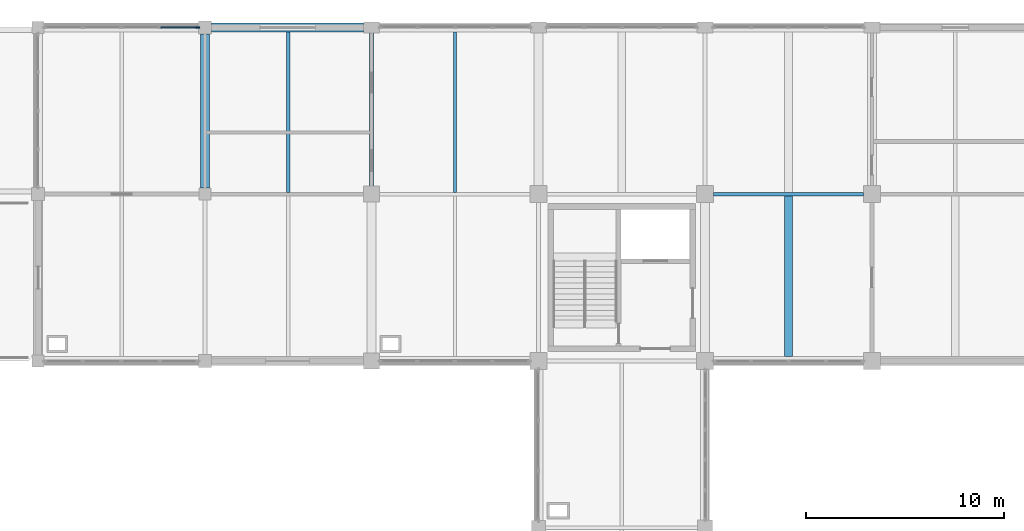
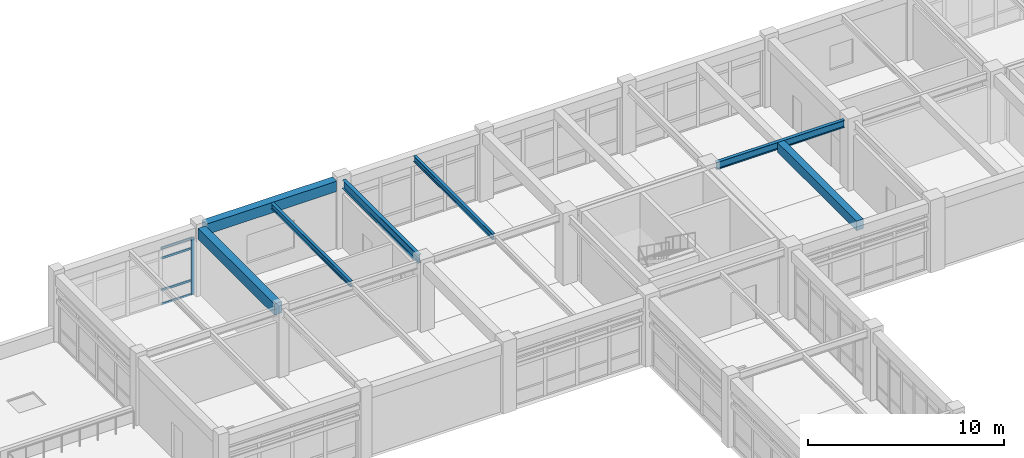
# One storey, part 17 of 78: 7 beams, 5 members, 1 element without a shape of its own.
"""IFC4 building model written with IfcOpenShell, lengths in metres."""

import ifcopenshell
import ifcopenshell.guid

model = None  # the IFC model being written
_history = None  # IfcOwnerHistory: only IFC2X3 demands one
_inside = {}  # id of a spatial element -> (the spatial element, [elements in it])
_under = {}  # id of a project, library or spatial element -> (it, [spatial elements below it])
_declared = {}  # id of a project -> (the project, [libraries it declares])
_typed = {}  # id of a type object -> (the type object, [elements of that type])
_made_of = {}  # id of a material, layer set ... -> (it, [elements and type objects made of it])


def new_model(schema):
    """Start an empty IFC model of exactly this schema.

    Asked for "IFC4X3", IfcOpenShell would pick the latest addendum, in which some entities
    have other attributes; the version numbers below select the first issue.
    IFC2X3 requires an IfcOwnerHistory on every rooted entity: one is made here for all.
    """
    global model, _history
    if schema == "IFC4X3":
        model = ifcopenshell.file(schema_version=(4, 3, 0, 0))
    else:
        model = ifcopenshell.file(schema=schema)
    _inside.clear()
    _under.clear()
    _declared.clear()
    _typed.clear()
    _made_of.clear()
    _history = None
    if model.schema == "IFC2X3":
        org = make("IfcOrganization", Name="unknown")
        user = make(
            "IfcPersonAndOrganization",
            ThePerson=make("IfcPerson", FamilyName="unknown"),
            TheOrganization=org,
        )
        app = make(
            "IfcApplication",
            ApplicationDeveloper=org,
            Version="unknown",
            ApplicationFullName="unknown",
            ApplicationIdentifier="unknown",
        )
        _history = make(
            "IfcOwnerHistory",
            OwningUser=user,
            OwningApplication=app,
            ChangeAction="ADDED",
            CreationDate=0,
        )
    return model


def make(cls, **values):
    """One entity of the class cls with the attributes given. An attribute that is None is left unset."""
    return model.create_entity(
        cls, **{name: value for name, value in values.items() if value is not None}
    )


def rooted(cls, **values):
    """An entity with a GlobalId (a new one), such as an element, a storey or a relation."""
    return make(cls, GlobalId=ifcopenshell.guid.new(), OwnerHistory=_history, **values)


def si_unit(unit_type, name, prefix=None):
    """IfcSIUnit, for example si_unit("LENGTHUNIT", "METRE", prefix="MILLI")."""
    return make("IfcSIUnit", UnitType=unit_type, Prefix=prefix, Name=name)


def assignment(units):
    """IfcUnitAssignment: the units of a project."""
    return None if units is None else make("IfcUnitAssignment", Units=units)


def point(xyz):
    """IfcCartesianPoint."""
    return None if xyz is None else make("IfcCartesianPoint", Coordinates=xyz)


def direction(xyz):
    """IfcDirection."""
    return None if xyz is None else make("IfcDirection", DirectionRatios=xyz)


def frame(location, z_axis=None, x_axis=None):
    """IfcAxis2Placement3D, a coordinate frame: its origin and axes. An axis left out is left unset."""
    return make(
        "IfcAxis2Placement3D",
        Location=point(location),
        Axis=direction(z_axis),
        RefDirection=direction(x_axis),
    )


def frame_2d(location, x_axis=None):
    """IfcAxis2Placement2D, a coordinate frame in the plane: its origin and x axis."""
    return make(
        "IfcAxis2Placement2D", Location=point(location), RefDirection=direction(x_axis)
    )


def origin():
    """The frame at (0, 0, 0) with its axes left unset."""
    return frame((0.0, 0.0, 0.0))


def origin_2d():
    """The frame at (0, 0) in the plane with its x axis left unset."""
    return frame_2d((0.0, 0.0))


def place(relative_to, where):
    """IfcLocalPlacement: puts the frame where relative to a parent placement (None: the world)."""
    return make(
        "IfcLocalPlacement", PlacementRelTo=relative_to, RelativePlacement=where
    )


def context(
    kind, dimensions, precision=None, world=None, true_north=None, identifier=None
):
    """IfcGeometricRepresentationContext, for example the 3D "Model" context."""
    return make(
        "IfcGeometricRepresentationContext",
        ContextIdentifier=identifier,
        ContextType=kind,
        CoordinateSpaceDimension=dimensions,
        Precision=precision,
        WorldCoordinateSystem=world,
        TrueNorth=true_north,
    )


def subcontext(parent, identifier, kind, view, scale=None):
    """IfcGeometricRepresentationSubContext, for example "Body" below "Model"."""
    return make(
        "IfcGeometricRepresentationSubContext",
        ContextIdentifier=identifier,
        ContextType=kind,
        ParentContext=parent,
        TargetScale=scale,
        TargetView=view,
    )


def project(units=None, contexts=None):
    """IfcProject with its units and contexts."""
    return rooted(
        "IfcProject",
        Name="project",
        RepresentationContexts=contexts,
        UnitsInContext=assignment(units),
    )


def spatial(cls, under=None, at=None, **own):
    """A site, building, storey or space (cls), placed at a placement, below another one or the project."""
    s = rooted(cls, ObjectPlacement=at, **own)
    if under is not None:
        _under.setdefault(under.id(), (under, []))[1].append(s)
    return s


def profile(cls, at=None, kind="AREA", **sizes):
    """A parametric profile (cls). Its sizes go by their IFC names, for example OverallWidth=200.0."""
    return make(cls, ProfileType=kind, Position=at, **sizes)


def rectangle(**sizes):
    """IfcRectangleProfileDef."""
    return profile("IfcRectangleProfileDef", **sizes)


def i_section(**sizes):
    """IfcIShapeProfileDef."""
    return profile("IfcIShapeProfileDef", **sizes)


def extrude(swept, where, along, depth):
    """IfcExtrudedAreaSolid: the profile swept, set in the frame where, extruded along a direction by depth."""
    return make(
        "IfcExtrudedAreaSolid",
        SweptArea=swept,
        Position=where,
        ExtrudedDirection=direction(along),
        Depth=depth,
    )


def shape(context_of_items, identifier, shape_type, items):
    """IfcShapeRepresentation: the items that make up one representation, for example the "Body"."""
    return make(
        "IfcShapeRepresentation",
        ContextOfItems=context_of_items,
        RepresentationIdentifier=identifier,
        RepresentationType=shape_type,
        Items=items,
    )


def material(Name=None, Category=None):
    """IfcMaterial."""
    return make("IfcMaterial", Name=Name, Category=Category)


def layer(
    of_material, thickness, ventilated=None, Name=None, Category=None, Priority=None
):
    """IfcMaterialLayer: one layer of a wall or slab, of a material (None: an air gap)."""
    return make(
        "IfcMaterialLayer",
        Material=of_material,
        LayerThickness=thickness,
        IsVentilated=ventilated,
        Name=Name,
        Category=Category,
        Priority=Priority,
    )


def layer_set(layers, Name=None):
    """IfcMaterialLayerSet."""
    return make("IfcMaterialLayerSet", MaterialLayers=layers, LayerSetName=Name)


def material_profile(
    of_material, cross_section, Name=None, Category=None, Priority=None
):
    """IfcMaterialProfile: a cross section and its material."""
    return make(
        "IfcMaterialProfile",
        Name=Name,
        Material=of_material,
        Profile=cross_section,
        Priority=Priority,
        Category=Category,
    )


def profile_set(profiles, Name=None, composite=None):
    """IfcMaterialProfileSet."""
    return make(
        "IfcMaterialProfileSet",
        Name=Name,
        MaterialProfiles=profiles,
        CompositeProfile=composite,
    )


def made_of(thing, what):
    """Note that an element or type object is made of a material, layer set ...; save() writes the relation."""
    if what is not None:
        _made_of.setdefault(what.id(), (what, []))[1].append(thing)
    return thing


def type_object(cls, material=None, **own):
    """A type object (cls), such as IfcWallType, which elements share."""
    return made_of(rooted(cls, **own), material)


def element(
    cls,
    number,
    at=None,
    inside=None,
    cuts=None,
    type_object=None,
    material=None,
    context=None,
    identifier="Body",
    shape_type=None,
    held_by="IfcProductDefinitionShape",
    body=None,
    shapes=None,
    **own,
):
    """One element of the class cls, such as IfcWall. Its Tag is "e" and its number.

    at: its placement. inside: the storey or other place that contains it. cuts: it is an
    opening in that element (IfcRelVoidsElement). A single representation is given by context,
    identifier, shape_type and body (its items); several are given by shapes. held_by: the class
    of the entity that holds the representations. save() writes the other relations.
    """
    e = rooted(cls, Tag="e%d" % number, ObjectPlacement=at, **own)
    if body is not None:
        shapes = [shape(context, identifier, shape_type, body)]
    if shapes is not None:
        e.Representation = make(held_by, Representations=shapes)
    if inside is not None:
        _inside.setdefault(inside.id(), (inside, []))[1].append(e)
    if cuts is not None:
        rooted(
            "IfcRelVoidsElement", RelatingBuildingElement=cuts, RelatedOpeningElement=e
        )
    if type_object is not None:
        _typed.setdefault(type_object.id(), (type_object, []))[1].append(e)
    return made_of(e, material)


def aggregate(whole, parts):
    """IfcRelAggregates: a whole, such as a stair, and the parts it consists of."""
    return rooted("IfcRelAggregates", RelatingObject=whole, RelatedObjects=parts)


def save(model, path):
    """Write the relations noted so far, then the file.

    IfcRelAggregates (storeys below a building ...), IfcRelContainedInSpatialStructure (elements
    in a storey), IfcRelDefinesByType, IfcRelAssociatesMaterial and IfcRelDeclares: one each for
    every whole, place, type object, material and project.
    """
    for whole, parts in _under.values():
        aggregate(whole, parts)
    for where, things in _inside.values():
        rooted(
            "IfcRelContainedInSpatialStructure",
            RelatedElements=things,
            RelatingStructure=where,
        )
    for kind, things in _typed.values():
        rooted("IfcRelDefinesByType", RelatedObjects=things, RelatingType=kind)
    for what, things in _made_of.values():
        rooted("IfcRelAssociatesMaterial", RelatedObjects=things, RelatingMaterial=what)
    for by, libraries in _declared.values():
        rooted("IfcRelDeclares", RelatingContext=by, RelatedDefinitions=libraries)
    model.write(path)


model = new_model("IFC4")

# Units and contexts
model_context = context("Model", 3, precision=1e-05, world=origin(), true_north=direction((0.0, 1.0)))
body_context = subcontext(model_context, "Body", "Model", "MODEL_VIEW")
ifc_project = project(units=[si_unit("LENGTHUNIT", "METRE"), si_unit("AREAUNIT", "SQUARE_METRE"), si_unit("VOLUMEUNIT", "CUBIC_METRE"), si_unit("PLANEANGLEUNIT", "RADIAN"), si_unit("MASSUNIT", "GRAM", prefix="KILO")], contexts=[model_context])

# Site, building, storey
site_placement = place(None, origin())
site = spatial("IfcSite", under=ifc_project, at=site_placement, CompositionType="ELEMENT")
building_placement = place(site_placement, origin())
building = spatial("IfcBuilding", under=site, at=building_placement, Name="Porcellanite Civic Hall", CompositionType="ELEMENT")
storey_placement = place(building_placement, frame((0.0, 0.0, 10.260009765625)))
storey = spatial("IfcBuildingStorey", under=building, at=storey_placement, Name="L02", CompositionType="ELEMENT", Elevation=10.260009765625)

# Beams
ifc_material_1 = material(Name="Concrete N50 (50 MPa)", Category="concrete")
ifc_material_profile_1 = material_profile(ifc_material_1, rectangle(XDim=0.39990234375, YDim=0.60009765625, at=origin_2d()), Name="RC-400x600")
ifc_profile_set_1 = profile_set([ifc_material_profile_1], Name="Concrete N50 (50 MPa)")
beam_type_1 = type_object("IfcBeamType", Name="BM-RC600", PredefinedType="JOIST", material=ifc_profile_set_1)
beam_1_placement = place(storey_placement, frame((63.0, 101.0244140625, 3.93994140625), z_axis=(0.0, 1.0, 0.0), x_axis=(-1.0, 0.0, 0.0)))
element("IfcBeam", 1, at=beam_1_placement, inside=storey, type_object=beam_type_1, Name="Secondary joist L02 8-13", PredefinedType="JOIST", context=body_context, shape_type="SweptSolid", body=[
    extrude(rectangle(XDim=0.39990234375, YDim=0.60009765625, at=origin_2d()), origin(), (0.0, 0.0, 1.0), 8.0810546875),
])
ifc_material_2 = material(Name="Concrete N50 (50 MPa)", Category="concrete")
ifc_material_profile_2 = material_profile(ifc_material_2, rectangle(XDim=0.449951171875, YDim=0.64990234375, at=origin_2d()), Name="RC-450x650")
ifc_profile_set_2 = profile_set([ifc_material_profile_2], Name="Concrete N50 (50 MPa)")
beam_type_2 = type_object("IfcBeamType", Name="BM-RC650", PredefinedType="SPANDREL", material=ifc_profile_set_2)
beam_2_placement = place(storey_placement, frame((33.924560546875, 117.60009765625, 3.9150390625), z_axis=(1.0, 0.0, 0.0), x_axis=(0.0, 1.0, 0.0)))
element("IfcBeam", 2, at=beam_2_placement, inside=storey, type_object=beam_type_2, Name="Beam X L02 5-15", PredefinedType="SPANDREL", context=body_context, shape_type="SweptSolid", body=[
    extrude(rectangle(XDim=0.449951171875, YDim=0.64990234375, at=origin_2d()), origin(), (0.0, 0.0, 1.0), 7.676025390625),
])
ifc_material_3 = material(Name="Concrete N50 (50 MPa)", Category="concrete")
ifc_material_profile_3 = material_profile(ifc_material_3, rectangle(XDim=0.449951171875, YDim=0.699951171875, at=origin_2d()), Name="RC-450x700")
ifc_profile_set_3 = profile_set([ifc_material_profile_3], Name="Concrete N50 (50 MPa)")
beam_type_3 = type_object("IfcBeamType", Name="BM-RC700", PredefinedType="BEAM", material=ifc_profile_set_3)
beam_3_placement = place(storey_placement, frame((33.60009765625, 109.49951171875, 3.889892578125), z_axis=(0.0, 1.0, 0.0), x_axis=(-1.0, 0.0, 0.0)))
element("IfcBeam", 3, at=beam_3_placement, inside=storey, type_object=beam_type_3, Name="Beam Y L02 5-14", PredefinedType="BEAM", context=body_context, shape_type="SweptSolid", body=[
    extrude(rectangle(XDim=0.449951171875, YDim=0.699951171875, at=origin_2d()), origin(), (0.0, 0.0, 1.0), 7.77587890625),
])

# Curtain wall, members
ifc_material_4 = material(Name="Anodised aluminium and solar laminated glass", Category="aluminium")
ifc_layer = layer(ifc_material_4, 0.179931640625)
ifc_layer_set = layer_set([ifc_layer], Name="Anodised aluminium and solar laminated glass")
curtain_wall_type = type_object("IfcCurtainWallType", Name="CW-SYS05", PredefinedType="NOTDEFINED", material=ifc_layer_set)
curtain_wall_placement = place(storey_placement, origin())
curtain_wall = element("IfcCurtainWall", 4, at=curtain_wall_placement, inside=storey, type_object=curtain_wall_type, Name="Curtain wall CW-138", PredefinedType="NOTDEFINED")
ifc_material_5 = material(Name="Anodised aluminium 6063-T6", Category="aluminium")
ifc_material_profile_4 = material_profile(ifc_material_5, rectangle(XDim=0.070068359375, YDim=0.199951171875, at=origin_2d()), Name="AL-70x200")
ifc_profile_set_4 = profile_set([ifc_material_profile_4], Name="Anodised aluminium 6063-T6")
member_type_1 = type_object("IfcMemberType", Name="CWM-05", PredefinedType="MULLION", material=ifc_profile_set_4)
member_1_placement = place(storey_placement, frame((33.239013671875, 117.60009765625, 0.0), z_axis=(0.0, 0.0, 1.0), x_axis=(0.0, 1.0, 0.0)))
member_1 = element("IfcMember", 5, at=member_1_placement, type_object=member_type_1, Name="CW-138 mullion 5", PredefinedType="MULLION", context=body_context, shape_type="SweptSolid", body=[
    extrude(rectangle(XDim=0.070068359375, YDim=0.199951171875, at=origin_2d()), origin(), (0.0, 0.0, 1.0), 3.5400390625),
])
ifc_material_6 = material(Name="Anodised aluminium 6063-T6", Category="aluminium")
ifc_material_profile_5 = material_profile(ifc_material_6, rectangle(XDim=0.06005859375, YDim=0.1298828125, at=origin_2d()), Name="AL-60x130")
ifc_profile_set_5 = profile_set([ifc_material_profile_5], Name="Anodised aluminium 6063-T6")
member_type_2 = type_object("IfcMemberType", Name="CWT-03", PredefinedType="USERDEFINED", material=ifc_profile_set_5)
member_2_placement = place(storey_placement, frame((31.36572265625, 117.60009765625, 0.030029296875), z_axis=(1.0, 0.0, 0.0), x_axis=(0.0, 1.0, 0.0)))
member_2 = element("IfcMember", 6, at=member_2_placement, type_object=member_type_2, Name="CW-138 transom 4.1", ObjectType="TRANSOM", PredefinedType="USERDEFINED", context=body_context, shape_type="SweptSolid", body=[
    extrude(rectangle(XDim=0.06005859375, YDim=0.1298828125, at=origin_2d()), origin(), (0.0, 0.0, 1.0), 1.83837890625),
])
member_3_placement = place(storey_placement, frame((31.36572265625, 117.60009765625, 0.89990234375), z_axis=(1.0, 0.0, 0.0), x_axis=(0.0, 1.0, 0.0)))
member_3 = element("IfcMember", 7, at=member_3_placement, type_object=member_type_2, Name="CW-138 transom 4.2", ObjectType="TRANSOM", PredefinedType="USERDEFINED", context=body_context, shape_type="SweptSolid", body=[
    extrude(rectangle(XDim=0.06005859375, YDim=0.1298828125, at=origin_2d()), origin(), (0.0, 0.0, 1.0), 1.83837890625),
])
member_4_placement = place(storey_placement, frame((31.36572265625, 117.60009765625, 2.889892578125), z_axis=(1.0, 0.0, 0.0), x_axis=(0.0, 1.0, 0.0)))
member_4 = element("IfcMember", 8, at=member_4_placement, type_object=member_type_2, Name="CW-138 transom 4.3", ObjectType="TRANSOM", PredefinedType="USERDEFINED", context=body_context, shape_type="SweptSolid", body=[
    extrude(rectangle(XDim=0.06005859375, YDim=0.1298828125, at=origin_2d()), origin(), (0.0, 0.0, 1.0), 1.83837890625),
])
member_5_placement = place(storey_placement, frame((31.36572265625, 117.60009765625, 3.510009765625), z_axis=(1.0, 0.0, 0.0), x_axis=(0.0, 1.0, 0.0)))
member_5 = element("IfcMember", 9, at=member_5_placement, type_object=member_type_2, Name="CW-138 transom 4.4", ObjectType="TRANSOM", PredefinedType="USERDEFINED", context=body_context, shape_type="SweptSolid", body=[
    extrude(rectangle(XDim=0.06005859375, YDim=0.1298828125, at=origin_2d()), origin(), (0.0, 0.0, 1.0), 1.83837890625),
])
aggregate(curtain_wall, [member_1, member_2, member_3, member_4, member_5])

# Beams
ifc_material_7 = material(Name="Steel Grade 350", Category="steel")
ifc_material_profile_6 = material_profile(ifc_material_7, i_section(OverallWidth=0.1708984375, OverallDepth=0.35595703125, WebThickness=0.00732421875, FlangeThickness=0.011474609375, FilletRadius=0.011474609375, at=origin_2d()), Name="360UB50.7")
ifc_profile_set_6 = profile_set([ifc_material_profile_6], Name="Steel Grade 350")
beam_type_4 = type_object("IfcBeamType", Name="JST-360UB51", PredefinedType="JOIST", material=ifc_profile_set_6)
beam_4_placement = place(storey_placement, frame((46.199951171875, 109.29443359375, 4.06201171875), z_axis=(0.0, 1.0, 0.0), x_axis=(-1.0, 0.0, 0.0)))
element("IfcBeam", 10, at=beam_4_placement, inside=storey, type_object=beam_type_4, Name="Secondary joist L02 6-14", PredefinedType="JOIST", context=body_context, shape_type="SweptSolid", body=[
    extrude(i_section(OverallWidth=0.1708984375, OverallDepth=0.35595703125, WebThickness=0.00732421875, FlangeThickness=0.011474609375, FilletRadius=0.011474609375, at=origin_2d()), origin(), (0.0, 0.0, 1.0), 8.0810546875),
])
ifc_material_8 = material(Name="Steel Grade 350", Category="steel")
ifc_material_profile_7 = material_profile(ifc_material_8, i_section(OverallWidth=0.172119140625, OverallDepth=0.35888671875, WebThickness=0.008056640625, FlangeThickness=0.012939453125, FilletRadius=0.011474609375, at=origin_2d()), Name="360UB56.7")
ifc_profile_set_7 = profile_set([ifc_material_profile_7], Name="Steel Grade 350")
beam_type_5 = type_object("IfcBeamType", Name="JST-360UB57", PredefinedType="JOIST", material=ifc_profile_set_7)
beam_5_placement = place(storey_placement, frame((37.800048828125, 109.29443359375, 4.060546875), z_axis=(0.0, 1.0, 0.0), x_axis=(-1.0, 0.0, 0.0)))
element("IfcBeam", 11, at=beam_5_placement, inside=storey, type_object=beam_type_5, Name="Secondary joist L02 5-14", PredefinedType="JOIST", context=body_context, shape_type="SweptSolid", body=[
    extrude(i_section(OverallWidth=0.172119140625, OverallDepth=0.35888671875, WebThickness=0.008056640625, FlangeThickness=0.012939453125, FilletRadius=0.011474609375, at=origin_2d()), origin(), (0.0, 0.0, 1.0), 8.0810546875),
])
ifc_material_9 = material(Name="Steel Grade 350", Category="steel")
ifc_material_profile_8 = material_profile(ifc_material_9, i_section(OverallWidth=0.18994140625, OverallDepth=0.4541015625, WebThickness=0.008544921875, FlangeThickness=0.0126953125, FilletRadius=0.011474609375, at=origin_2d()), Name="460UB67.1")
ifc_profile_set_8 = profile_set([ifc_material_profile_8], Name="Steel Grade 350")
beam_type_6 = type_object("IfcBeamType", Name="RAF-460UB67", PredefinedType="BEAM", material=ifc_profile_set_8)
beam_6_placement = place(storey_placement, frame((59.224609375, 109.199951171875, 4.012939453125), z_axis=(1.0, 0.0, 0.0), x_axis=(0.0, 1.0, 0.0)))
element("IfcBeam", 12, at=beam_6_placement, inside=storey, type_object=beam_type_6, Name="Beam X L02 8-14", PredefinedType="BEAM", context=body_context, shape_type="SweptSolid", body=[
    extrude(i_section(OverallWidth=0.18994140625, OverallDepth=0.4541015625, WebThickness=0.008544921875, FlangeThickness=0.0126953125, FilletRadius=0.011474609375, at=origin_2d()), origin(), (0.0, 0.0, 1.0), 7.55078125),
])
ifc_material_10 = material(Name="Steel Grade 350", Category="steel")
ifc_material_profile_9 = material_profile(ifc_material_10, i_section(OverallWidth=0.208984375, OverallDepth=0.528076171875, WebThickness=0.009521484375, FlangeThickness=0.01318359375, FilletRadius=0.013916015625, at=origin_2d()), Name="530UB82.0")
ifc_profile_set_9 = profile_set([ifc_material_profile_9], Name="Steel Grade 350")
beam_type_7 = type_object("IfcBeamType", Name="RAF-530UB82", PredefinedType="BEAM", material=ifc_profile_set_9)
beam_7_placement = place(storey_placement, frame((42.0, 109.599609375, 3.97607421875), z_axis=(0.0, 1.0, 0.0), x_axis=(-1.0, 0.0, 0.0)))
element("IfcBeam", 13, at=beam_7_placement, inside=storey, type_object=beam_type_7, Name="Beam Y L02 6-14", PredefinedType="BEAM", context=body_context, shape_type="SweptSolid", body=[
    extrude(i_section(OverallWidth=0.208984375, OverallDepth=0.528076171875, WebThickness=0.009521484375, FlangeThickness=0.01318359375, FilletRadius=0.013916015625, at=origin_2d()), origin(), (0.0, 0.0, 1.0), 7.725830078125),
])

save(model, "model.ifc")
